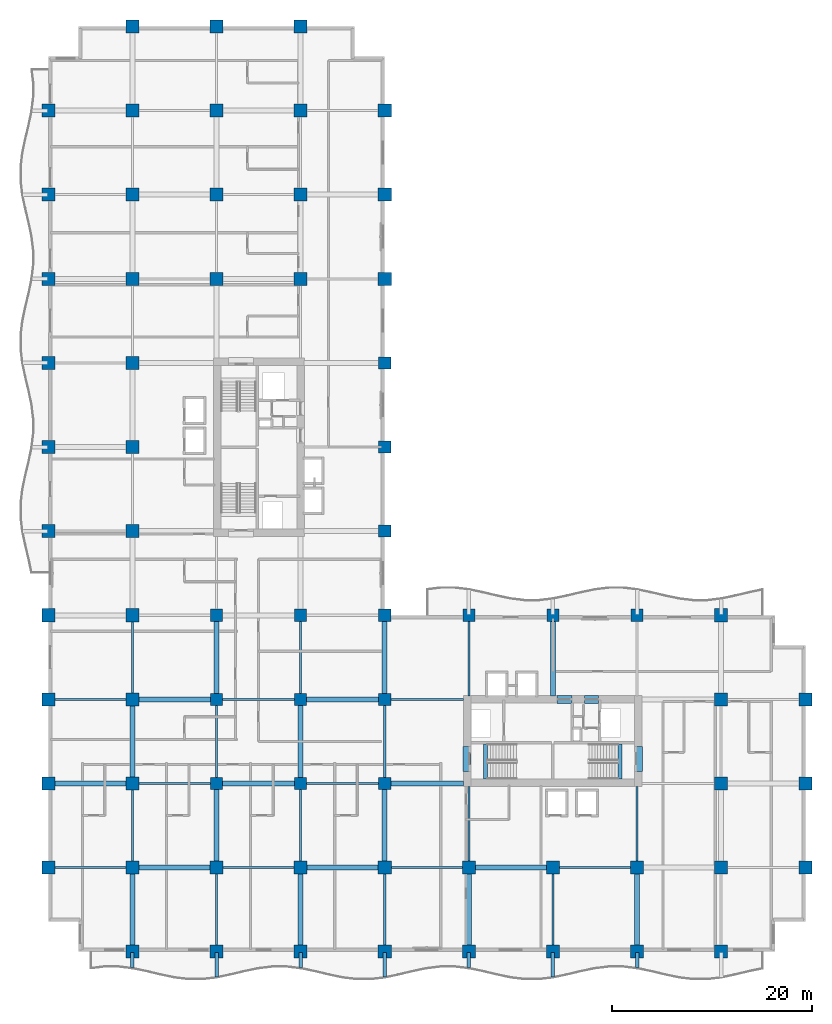
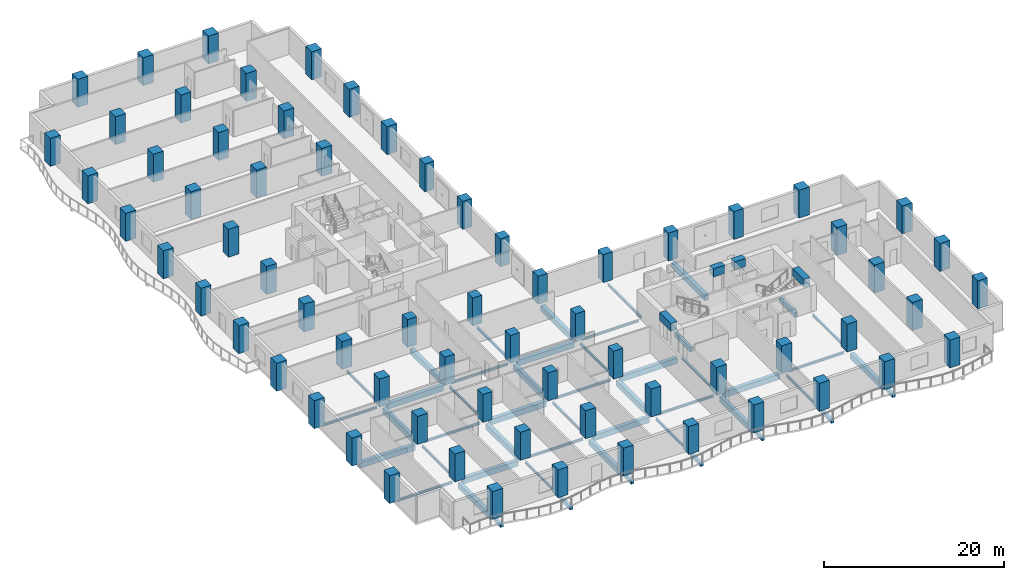
# One storey, part 1 of 18: 68 columns, 53 beams.
"""IFC4 building model written with IfcOpenShell, lengths in metres."""

import ifcopenshell
import ifcopenshell.guid

model = None  # the IFC model being written
_history = None  # IfcOwnerHistory: only IFC2X3 demands one
_inside = {}  # id of a spatial element -> (the spatial element, [elements in it])
_under = {}  # id of a project, library or spatial element -> (it, [spatial elements below it])
_declared = {}  # id of a project -> (the project, [libraries it declares])
_typed = {}  # id of a type object -> (the type object, [elements of that type])
_made_of = {}  # id of a material, layer set ... -> (it, [elements and type objects made of it])


def new_model(schema):
    """Start an empty IFC model of exactly this schema.

    Asked for "IFC4X3", IfcOpenShell would pick the latest addendum, in which some entities
    have other attributes; the version numbers below select the first issue.
    IFC2X3 requires an IfcOwnerHistory on every rooted entity: one is made here for all.
    """
    global model, _history
    if schema == "IFC4X3":
        model = ifcopenshell.file(schema_version=(4, 3, 0, 0))
    else:
        model = ifcopenshell.file(schema=schema)
    _inside.clear()
    _under.clear()
    _declared.clear()
    _typed.clear()
    _made_of.clear()
    _history = None
    if model.schema == "IFC2X3":
        org = make("IfcOrganization", Name="unknown")
        user = make(
            "IfcPersonAndOrganization",
            ThePerson=make("IfcPerson", FamilyName="unknown"),
            TheOrganization=org,
        )
        app = make(
            "IfcApplication",
            ApplicationDeveloper=org,
            Version="unknown",
            ApplicationFullName="unknown",
            ApplicationIdentifier="unknown",
        )
        _history = make(
            "IfcOwnerHistory",
            OwningUser=user,
            OwningApplication=app,
            ChangeAction="ADDED",
            CreationDate=0,
        )
    return model


def make(cls, **values):
    """One entity of the class cls with the attributes given. An attribute that is None is left unset."""
    return model.create_entity(
        cls, **{name: value for name, value in values.items() if value is not None}
    )


def rooted(cls, **values):
    """An entity with a GlobalId (a new one), such as an element, a storey or a relation."""
    return make(cls, GlobalId=ifcopenshell.guid.new(), OwnerHistory=_history, **values)


def si_unit(unit_type, name, prefix=None):
    """IfcSIUnit, for example si_unit("LENGTHUNIT", "METRE", prefix="MILLI")."""
    return make("IfcSIUnit", UnitType=unit_type, Prefix=prefix, Name=name)


def assignment(units):
    """IfcUnitAssignment: the units of a project."""
    return None if units is None else make("IfcUnitAssignment", Units=units)


def point(xyz):
    """IfcCartesianPoint."""
    return None if xyz is None else make("IfcCartesianPoint", Coordinates=xyz)


def direction(xyz):
    """IfcDirection."""
    return None if xyz is None else make("IfcDirection", DirectionRatios=xyz)


def frame(location, z_axis=None, x_axis=None):
    """IfcAxis2Placement3D, a coordinate frame: its origin and axes. An axis left out is left unset."""
    return make(
        "IfcAxis2Placement3D",
        Location=point(location),
        Axis=direction(z_axis),
        RefDirection=direction(x_axis),
    )


def frame_2d(location, x_axis=None):
    """IfcAxis2Placement2D, a coordinate frame in the plane: its origin and x axis."""
    return make(
        "IfcAxis2Placement2D", Location=point(location), RefDirection=direction(x_axis)
    )


def origin():
    """The frame at (0, 0, 0) with its axes left unset."""
    return frame((0.0, 0.0, 0.0))


def origin_2d():
    """The frame at (0, 0) in the plane with its x axis left unset."""
    return frame_2d((0.0, 0.0))


def place(relative_to, where):
    """IfcLocalPlacement: puts the frame where relative to a parent placement (None: the world)."""
    return make(
        "IfcLocalPlacement", PlacementRelTo=relative_to, RelativePlacement=where
    )


def context(
    kind, dimensions, precision=None, world=None, true_north=None, identifier=None
):
    """IfcGeometricRepresentationContext, for example the 3D "Model" context."""
    return make(
        "IfcGeometricRepresentationContext",
        ContextIdentifier=identifier,
        ContextType=kind,
        CoordinateSpaceDimension=dimensions,
        Precision=precision,
        WorldCoordinateSystem=world,
        TrueNorth=true_north,
    )


def subcontext(parent, identifier, kind, view, scale=None):
    """IfcGeometricRepresentationSubContext, for example "Body" below "Model"."""
    return make(
        "IfcGeometricRepresentationSubContext",
        ContextIdentifier=identifier,
        ContextType=kind,
        ParentContext=parent,
        TargetScale=scale,
        TargetView=view,
    )


def project(units=None, contexts=None):
    """IfcProject with its units and contexts."""
    return rooted(
        "IfcProject",
        Name="project",
        RepresentationContexts=contexts,
        UnitsInContext=assignment(units),
    )


def spatial(cls, under=None, at=None, **own):
    """A site, building, storey or space (cls), placed at a placement, below another one or the project."""
    s = rooted(cls, ObjectPlacement=at, **own)
    if under is not None:
        _under.setdefault(under.id(), (under, []))[1].append(s)
    return s


def profile(cls, at=None, kind="AREA", **sizes):
    """A parametric profile (cls). Its sizes go by their IFC names, for example OverallWidth=200.0."""
    return make(cls, ProfileType=kind, Position=at, **sizes)


def rectangle(**sizes):
    """IfcRectangleProfileDef."""
    return profile("IfcRectangleProfileDef", **sizes)


def i_section(**sizes):
    """IfcIShapeProfileDef."""
    return profile("IfcIShapeProfileDef", **sizes)


def extrude(swept, where, along, depth):
    """IfcExtrudedAreaSolid: the profile swept, set in the frame where, extruded along a direction by depth."""
    return make(
        "IfcExtrudedAreaSolid",
        SweptArea=swept,
        Position=where,
        ExtrudedDirection=direction(along),
        Depth=depth,
    )


def shape(context_of_items, identifier, shape_type, items):
    """IfcShapeRepresentation: the items that make up one representation, for example the "Body"."""
    return make(
        "IfcShapeRepresentation",
        ContextOfItems=context_of_items,
        RepresentationIdentifier=identifier,
        RepresentationType=shape_type,
        Items=items,
    )


def material(Name=None, Category=None):
    """IfcMaterial."""
    return make("IfcMaterial", Name=Name, Category=Category)


def material_profile(
    of_material, cross_section, Name=None, Category=None, Priority=None
):
    """IfcMaterialProfile: a cross section and its material."""
    return make(
        "IfcMaterialProfile",
        Name=Name,
        Material=of_material,
        Profile=cross_section,
        Priority=Priority,
        Category=Category,
    )


def profile_set(profiles, Name=None, composite=None):
    """IfcMaterialProfileSet."""
    return make(
        "IfcMaterialProfileSet",
        Name=Name,
        MaterialProfiles=profiles,
        CompositeProfile=composite,
    )


def made_of(thing, what):
    """Note that an element or type object is made of a material, layer set ...; save() writes the relation."""
    if what is not None:
        _made_of.setdefault(what.id(), (what, []))[1].append(thing)
    return thing


def type_object(cls, material=None, **own):
    """A type object (cls), such as IfcWallType, which elements share."""
    return made_of(rooted(cls, **own), material)


def element(
    cls,
    number,
    at=None,
    inside=None,
    cuts=None,
    type_object=None,
    material=None,
    context=None,
    identifier="Body",
    shape_type=None,
    held_by="IfcProductDefinitionShape",
    body=None,
    shapes=None,
    **own,
):
    """One element of the class cls, such as IfcWall. Its Tag is "e" and its number.

    at: its placement. inside: the storey or other place that contains it. cuts: it is an
    opening in that element (IfcRelVoidsElement). A single representation is given by context,
    identifier, shape_type and body (its items); several are given by shapes. held_by: the class
    of the entity that holds the representations. save() writes the other relations.
    """
    e = rooted(cls, Tag="e%d" % number, ObjectPlacement=at, **own)
    if body is not None:
        shapes = [shape(context, identifier, shape_type, body)]
    if shapes is not None:
        e.Representation = make(held_by, Representations=shapes)
    if inside is not None:
        _inside.setdefault(inside.id(), (inside, []))[1].append(e)
    if cuts is not None:
        rooted(
            "IfcRelVoidsElement", RelatingBuildingElement=cuts, RelatedOpeningElement=e
        )
    if type_object is not None:
        _typed.setdefault(type_object.id(), (type_object, []))[1].append(e)
    return made_of(e, material)


def aggregate(whole, parts):
    """IfcRelAggregates: a whole, such as a stair, and the parts it consists of."""
    return rooted("IfcRelAggregates", RelatingObject=whole, RelatedObjects=parts)


def save(model, path):
    """Write the relations noted so far, then the file.

    IfcRelAggregates (storeys below a building ...), IfcRelContainedInSpatialStructure (elements
    in a storey), IfcRelDefinesByType, IfcRelAssociatesMaterial and IfcRelDeclares: one each for
    every whole, place, type object, material and project.
    """
    for whole, parts in _under.values():
        aggregate(whole, parts)
    for where, things in _inside.values():
        rooted(
            "IfcRelContainedInSpatialStructure",
            RelatedElements=things,
            RelatingStructure=where,
        )
    for kind, things in _typed.values():
        rooted("IfcRelDefinesByType", RelatedObjects=things, RelatingType=kind)
    for what, things in _made_of.values():
        rooted("IfcRelAssociatesMaterial", RelatedObjects=things, RelatingMaterial=what)
    for by, libraries in _declared.values():
        rooted("IfcRelDeclares", RelatingContext=by, RelatedDefinitions=libraries)
    model.write(path)


model = new_model("IFC4")

# Units and contexts
model_context = context("Model", 3, precision=1e-05, world=origin(), true_north=direction((0.0, 1.0)))
body_context = subcontext(model_context, "Body", "Model", "MODEL_VIEW")
ifc_project = project(units=[si_unit("LENGTHUNIT", "METRE"), si_unit("AREAUNIT", "SQUARE_METRE"), si_unit("VOLUMEUNIT", "CUBIC_METRE"), si_unit("PLANEANGLEUNIT", "RADIAN"), si_unit("MASSUNIT", "GRAM", prefix="KILO")], contexts=[model_context])

# Site, building, storey
site_placement = place(None, origin())
site = spatial("IfcSite", under=ifc_project, at=site_placement, CompositionType="ELEMENT")
building_placement = place(site_placement, origin())
building = spatial("IfcBuilding", under=site, at=building_placement, Name="Koriwani Terraces Tower", CompositionType="ELEMENT")
storey_placement = place(building_placement, frame((0.0, 0.0, 100.0)))
storey = spatial("IfcBuildingStorey", under=building, at=storey_placement, Name="L23", CompositionType="ELEMENT", Elevation=100.0)

# Columns
ifc_material_1 = material(Name="Concrete C60/75", Category="concrete")
ifc_material_profile_1 = material_profile(ifc_material_1, rectangle(XDim=1.199951171875, YDim=1.199951171875, at=origin_2d()), Name="Concrete C60/75", Category="LoadBearing")
ifc_profile_set_1 = profile_set([ifc_material_profile_1], Name="Concrete C60/75")
column_type_1 = type_object("IfcColumnType", Name="COL_RC_1200X1200", PredefinedType="COLUMN", material=ifc_profile_set_1)
for number, where, z_axis, x_axis, name in (
    (1, (16.800048828125, 16.800048828125, 0.0), (0.0, 0.0, 1.0), (1.0, 0.0, 0.0), "L23 Column 3/C"),
    (2, (16.800048828125, 25.199951171875, 0.0), (0.0, 0.0, 1.0), (1.0, 0.0, 0.0), "L23 Column 3/D"),
    (3, (16.800048828125, 33.60009765625, 0.0), (0.0, 0.0, 1.0), (1.0, 0.0, 0.0), "L23 Column 3/E"),
    (4, (25.199951171875, 16.800048828125, 0.0), (0.0, 0.0, 1.0), (1.0, 0.0, 0.0), "L23 Column 4/C"),
    (5, (25.199951171875, 25.199951171875, 0.0), (0.0, 0.0, 1.0), (1.0, 0.0, 0.0), "L23 Column 4/D"),
    (6, (25.199951171875, 33.60009765625, 0.0), (0.0, 0.0, 1.0), (1.0, 0.0, 0.0), "L23 Column 4/E"),
    (7, (33.60009765625, 16.800048828125, 0.0), (0.0, 0.0, 1.0), (1.0, 0.0, 0.0), "L23 Column 5/C"),
    (8, (33.60009765625, 25.199951171875, 0.0), (0.0, 0.0, 1.0), (1.0, 0.0, 0.0), "L23 Column 5/D"),
    (9, (33.60009765625, 33.60009765625, 0.0), (0.0, 0.0, 1.0), (1.0, 0.0, 0.0), "L23 Column 5/E"),
    (10, (33.60009765625, 42.0, 0.0), (0.0, 0.0, 1.0), (1.0, 0.0, 0.0), "L23 Column 5/F"),
    (11, (33.60009765625, 50.39990234375, 0.0), (0.0, 0.0, 1.0), (1.0, 0.0, 0.0), "L23 Column 5/G"),
    (12, (33.60009765625, 58.800048828125, 0.0), (0.0, 0.0, 1.0), (1.0, 0.0, 0.0), "L23 Column 5/H"),
    (13, (42.0, 33.60009765625, 0.0), (0.0, 0.0, 1.0), (1.0, 0.0, 0.0), "L23 Column 6/E"),
    (14, (50.39990234375, 33.60009765625, 0.0), (0.0, 0.0, 1.0), (1.0, 0.0, 0.0), "L23 Column 7/E"),
    (15, (58.800048828125, 33.60009765625, 0.0), (0.0, 0.0, 1.0), (1.0, 0.0, 0.0), "L23 Column 8/E"),
):
    element("IfcColumn", number, at=place(storey_placement, frame(where, z_axis=z_axis, x_axis=x_axis)), inside=storey, type_object=column_type_1, Name=name, PredefinedType="COLUMN", context=body_context, shape_type="SweptSolid", body=[
        extrude(rectangle(XDim=1.199951171875, YDim=1.199951171875, at=origin_2d()), origin(), (0.0, 0.0, 1.0), 3.800048828125),
    ])
ifc_material_profile_2 = material_profile(ifc_material_1, rectangle(XDim=1.300048828125, YDim=1.300048828125, at=origin_2d()), Name="Concrete C60/75", Category="LoadBearing")
ifc_profile_set_2 = profile_set([ifc_material_profile_2], Name="Concrete C60/75")
column_type_2 = type_object("IfcColumnType", Name="COL_RC_1300X1300", PredefinedType="COLUMN", material=ifc_profile_set_2)
for number, where, z_axis, x_axis, name in (
    (16, (0.0, 8.39990234375, 0.0), (0.0, 0.0, 1.0), (1.0, 0.0, 0.0), "L23 Column 1/B"),
    (17, (0.0, 16.800048828125, 0.0), (0.0, 0.0, 1.0), (1.0, 0.0, 0.0), "L23 Column 1/C"),
    (18, (0.0, 25.199951171875, 0.0), (0.0, 0.0, 1.0), (1.0, 0.0, 0.0), "L23 Column 1/D"),
    (19, (0.0, 33.60009765625, 0.0), (0.0, 0.0, 1.0), (1.0, 0.0, 0.0), "L23 Column 1/E"),
    (20, (0.0, 42.0, 0.0), (0.0, 0.0, 1.0), (1.0, 0.0, 0.0), "L23 Column 1/F"),
    (21, (0.0, 50.39990234375, 0.0), (0.0, 0.0, 1.0), (1.0, 0.0, 0.0), "L23 Column 1/G"),
    (22, (0.0, 58.800048828125, 0.0), (0.0, 0.0, 1.0), (1.0, 0.0, 0.0), "L23 Column 1/H"),
    (23, (0.0, 67.199951171875, 0.0), (0.0, 0.0, 1.0), (1.0, 0.0, 0.0), "L23 Column 1/I"),
    (24, (0.0, 75.60009765625, 0.0), (0.0, 0.0, 1.0), (1.0, 0.0, 0.0), "L23 Column 1/J"),
    (25, (0.0, 84.0, 0.0), (0.0, 0.0, 1.0), (1.0, 0.0, 0.0), "L23 Column 1/K"),
    (26, (8.39990234375, 0.0, 0.0), (0.0, 0.0, 1.0), (1.0, 0.0, 0.0), "L23 Column 2/A"),
    (27, (8.39990234375, 8.39990234375, 0.0), (0.0, 0.0, 1.0), (1.0, 0.0, 0.0), "L23 Column 2/B"),
    (28, (8.39990234375, 16.800048828125, 0.0), (0.0, 0.0, 1.0), (1.0, 0.0, 0.0), "L23 Column 2/C"),
    (29, (8.39990234375, 25.199951171875, 0.0), (0.0, 0.0, 1.0), (1.0, 0.0, 0.0), "L23 Column 2/D"),
    (30, (8.39990234375, 33.60009765625, 0.0), (0.0, 0.0, 1.0), (1.0, 0.0, 0.0), "L23 Column 2/E"),
    (31, (8.39990234375, 42.0, 0.0), (0.0, 0.0, 1.0), (1.0, 0.0, 0.0), "L23 Column 2/F"),
    (32, (8.39990234375, 50.39990234375, 0.0), (0.0, 0.0, 1.0), (1.0, 0.0, 0.0), "L23 Column 2/G"),
    (33, (8.39990234375, 58.800048828125, 0.0), (0.0, 0.0, 1.0), (1.0, 0.0, 0.0), "L23 Column 2/H"),
    (34, (8.39990234375, 67.199951171875, 0.0), (0.0, 0.0, 1.0), (1.0, 0.0, 0.0), "L23 Column 2/I"),
    (35, (8.39990234375, 75.60009765625, 0.0), (0.0, 0.0, 1.0), (1.0, 0.0, 0.0), "L23 Column 2/J"),
    (36, (8.39990234375, 84.0, 0.0), (0.0, 0.0, 1.0), (1.0, 0.0, 0.0), "L23 Column 2/K"),
    (37, (8.39990234375, 92.39990234375, 0.0), (0.0, 0.0, 1.0), (1.0, 0.0, 0.0), "L23 Column 2/L"),
    (38, (16.800048828125, 0.0, 0.0), (0.0, 0.0, 1.0), (1.0, 0.0, 0.0), "L23 Column 3/A"),
    (39, (16.800048828125, 8.39990234375, 0.0), (0.0, 0.0, 1.0), (1.0, 0.0, 0.0), "L23 Column 3/B"),
    (40, (16.800048828125, 67.199951171875, 0.0), (0.0, 0.0, 1.0), (1.0, 0.0, 0.0), "L23 Column 3/I"),
    (41, (16.800048828125, 75.60009765625, 0.0), (0.0, 0.0, 1.0), (1.0, 0.0, 0.0), "L23 Column 3/J"),
    (42, (16.800048828125, 84.0, 0.0), (0.0, 0.0, 1.0), (1.0, 0.0, 0.0), "L23 Column 3/K"),
    (43, (16.800048828125, 92.39990234375, 0.0), (0.0, 0.0, 1.0), (1.0, 0.0, 0.0), "L23 Column 3/L"),
    (44, (25.199951171875, 0.0, 0.0), (0.0, 0.0, 1.0), (1.0, 0.0, 0.0), "L23 Column 4/A"),
    (45, (25.199951171875, 8.39990234375, 0.0), (0.0, 0.0, 1.0), (1.0, 0.0, 0.0), "L23 Column 4/B"),
    (46, (25.199951171875, 67.199951171875, 0.0), (0.0, 0.0, 1.0), (1.0, 0.0, 0.0), "L23 Column 4/I"),
    (47, (25.199951171875, 75.60009765625, 0.0), (0.0, 0.0, 1.0), (1.0, 0.0, 0.0), "L23 Column 4/J"),
    (48, (25.199951171875, 84.0, 0.0), (0.0, 0.0, 1.0), (1.0, 0.0, 0.0), "L23 Column 4/K"),
    (49, (25.199951171875, 92.39990234375, 0.0), (0.0, 0.0, 1.0), (1.0, 0.0, 0.0), "L23 Column 4/L"),
    (50, (33.60009765625, 0.0, 0.0), (0.0, 0.0, 1.0), (1.0, 0.0, 0.0), "L23 Column 5/A"),
    (51, (33.60009765625, 8.39990234375, 0.0), (0.0, 0.0, 1.0), (1.0, 0.0, 0.0), "L23 Column 5/B"),
    (52, (33.60009765625, 67.199951171875, 0.0), (0.0, 0.0, 1.0), (1.0, 0.0, 0.0), "L23 Column 5/I"),
    (53, (33.60009765625, 75.60009765625, 0.0), (0.0, 0.0, 1.0), (1.0, 0.0, 0.0), "L23 Column 5/J"),
    (54, (33.60009765625, 84.0, 0.0), (0.0, 0.0, 1.0), (1.0, 0.0, 0.0), "L23 Column 5/K"),
    (55, (42.0, 0.0, 0.0), (0.0, 0.0, 1.0), (1.0, 0.0, 0.0), "L23 Column 6/A"),
    (56, (42.0, 8.39990234375, 0.0), (0.0, 0.0, 1.0), (1.0, 0.0, 0.0), "L23 Column 6/B"),
    (57, (50.39990234375, 0.0, 0.0), (0.0, 0.0, 1.0), (1.0, 0.0, 0.0), "L23 Column 7/A"),
    (58, (50.39990234375, 8.39990234375, 0.0), (0.0, 0.0, 1.0), (1.0, 0.0, 0.0), "L23 Column 7/B"),
    (59, (58.800048828125, 0.0, 0.0), (0.0, 0.0, 1.0), (1.0, 0.0, 0.0), "L23 Column 8/A"),
    (60, (58.800048828125, 8.39990234375, 0.0), (0.0, 0.0, 1.0), (1.0, 0.0, 0.0), "L23 Column 8/B"),
    (61, (67.199951171875, 0.0, 0.0), (0.0, 0.0, 1.0), (1.0, 0.0, 0.0), "L23 Column 9/A"),
    (62, (67.199951171875, 8.39990234375, 0.0), (0.0, 0.0, 1.0), (1.0, 0.0, 0.0), "L23 Column 9/B"),
    (63, (67.199951171875, 16.800048828125, 0.0), (0.0, 0.0, 1.0), (1.0, 0.0, 0.0), "L23 Column 9/C"),
    (64, (67.199951171875, 25.199951171875, 0.0), (0.0, 0.0, 1.0), (1.0, 0.0, 0.0), "L23 Column 9/D"),
    (65, (67.199951171875, 33.60009765625, 0.0), (0.0, 0.0, 1.0), (1.0, 0.0, 0.0), "L23 Column 9/E"),
    (66, (75.60009765625, 8.39990234375, 0.0), (0.0, 0.0, 1.0), (1.0, 0.0, 0.0), "L23 Column 10/B"),
    (67, (75.60009765625, 16.800048828125, 0.0), (0.0, 0.0, 1.0), (1.0, 0.0, 0.0), "L23 Column 10/C"),
    (68, (75.60009765625, 25.199951171875, 0.0), (0.0, 0.0, 1.0), (1.0, 0.0, 0.0), "L23 Column 10/D"),
):
    element("IfcColumn", number, at=place(storey_placement, frame(where, z_axis=z_axis, x_axis=x_axis)), inside=storey, type_object=column_type_2, Name=name, PredefinedType="COLUMN", context=body_context, shape_type="SweptSolid", body=[
        extrude(rectangle(XDim=1.300048828125, YDim=1.300048828125, at=origin_2d()), origin(), (0.0, 0.0, 1.0), 3.800048828125),
    ])

# Beams
ifc_material_2 = material(Name="Concrete C40/50", Category="concrete")
ifc_material_profile_3 = material_profile(ifc_material_2, rectangle(XDim=0.35009765625, YDim=0.449951171875, at=origin_2d()), Name="Concrete C40/50", Category="LoadBearing")
ifc_profile_set_3 = profile_set([ifc_material_profile_3], Name="Concrete C40/50")
beam_type_1 = type_object("IfcBeamType", Name="BEAM_RC_BALCONY_RIB_350X450", PredefinedType="JOIST", material=ifc_profile_set_3)
beam_1_placement = place(storey_placement, frame((8.39990234375, -1.59033203125, -0.47509765625), z_axis=(0.0, 1.0, 0.0), x_axis=(-1.0, 0.0, 0.0)))
element("IfcBeam", 69, at=beam_1_placement, inside=storey, type_object=beam_type_1, Name="L23 Balcony Bracket Rib S-1", PredefinedType="JOIST", context=body_context, shape_type="SweptSolid", body=[
    extrude(rectangle(XDim=0.35009765625, YDim=0.449951171875, at=origin_2d()), origin(), (0.0, 0.0, 1.0), 1.490234375),
])
beam_2_placement = place(storey_placement, frame((16.800048828125, -2.509521484375, -0.47509765625), z_axis=(0.0, 1.0, 0.0), x_axis=(-1.0, 0.0, 0.0)))
element("IfcBeam", 70, at=beam_2_placement, inside=storey, type_object=beam_type_1, Name="L23 Balcony Bracket Rib S-2", PredefinedType="JOIST", context=body_context, shape_type="SweptSolid", body=[
    extrude(rectangle(XDim=0.35009765625, YDim=0.449951171875, at=origin_2d()), origin(), (0.0, 0.0, 1.0), 2.409423828125),
])
beam_3_placement = place(storey_placement, frame((25.199951171875, -1.59033203125, -0.47509765625), z_axis=(0.0, 1.0, 0.0), x_axis=(-1.0, 0.0, 0.0)))
element("IfcBeam", 71, at=beam_3_placement, inside=storey, type_object=beam_type_1, Name="L23 Balcony Bracket Rib S-3", PredefinedType="JOIST", context=body_context, shape_type="SweptSolid", body=[
    extrude(rectangle(XDim=0.35009765625, YDim=0.449951171875, at=origin_2d()), origin(), (0.0, 0.0, 1.0), 1.490234375),
])
beam_4_placement = place(storey_placement, frame((33.60009765625, -2.509521484375, -0.47509765625), z_axis=(0.0, 1.0, 0.0), x_axis=(-1.0, 0.0, 0.0)))
element("IfcBeam", 72, at=beam_4_placement, inside=storey, type_object=beam_type_1, Name="L23 Balcony Bracket Rib S-4", PredefinedType="JOIST", context=body_context, shape_type="SweptSolid", body=[
    extrude(rectangle(XDim=0.35009765625, YDim=0.449951171875, at=origin_2d()), origin(), (0.0, 0.0, 1.0), 2.409423828125),
])
beam_5_placement = place(storey_placement, frame((42.0, -1.59033203125, -0.47509765625), z_axis=(0.0, 1.0, 0.0), x_axis=(-1.0, 0.0, 0.0)))
element("IfcBeam", 73, at=beam_5_placement, inside=storey, type_object=beam_type_1, Name="L23 Balcony Bracket Rib S-5", PredefinedType="JOIST", context=body_context, shape_type="SweptSolid", body=[
    extrude(rectangle(XDim=0.35009765625, YDim=0.449951171875, at=origin_2d()), origin(), (0.0, 0.0, 1.0), 1.490234375),
])
beam_6_placement = place(storey_placement, frame((50.39990234375, -2.509521484375, -0.47509765625), z_axis=(0.0, 1.0, 0.0), x_axis=(-1.0, 0.0, 0.0)))
element("IfcBeam", 74, at=beam_6_placement, inside=storey, type_object=beam_type_1, Name="L23 Balcony Bracket Rib S-6", PredefinedType="JOIST", context=body_context, shape_type="SweptSolid", body=[
    extrude(rectangle(XDim=0.35009765625, YDim=0.449951171875, at=origin_2d()), origin(), (0.0, 0.0, 1.0), 2.409423828125),
])
beam_7_placement = place(storey_placement, frame((58.800048828125, -1.59033203125, -0.47509765625), z_axis=(0.0, 1.0, 0.0), x_axis=(-1.0, 0.0, 0.0)))
element("IfcBeam", 75, at=beam_7_placement, inside=storey, type_object=beam_type_1, Name="L23 Balcony Bracket Rib S-7", PredefinedType="JOIST", context=body_context, shape_type="SweptSolid", body=[
    extrude(rectangle(XDim=0.35009765625, YDim=0.449951171875, at=origin_2d()), origin(), (0.0, 0.0, 1.0), 1.490234375),
])
ifc_material_profile_4 = material_profile(ifc_material_1, rectangle(XDim=0.800048828125, YDim=1.10009765625, at=origin_2d()), Name="Concrete C60/75", Category="LoadBearing")
ifc_profile_set_4 = profile_set([ifc_material_profile_4], Name="Concrete C60/75")
beam_type_2 = type_object("IfcBeamType", Name="BEAM_RC_COUPLING_800X1100", PredefinedType="LINTEL", material=ifc_profile_set_4)
beam_8_placement = place(storey_placement, frame((50.800048828125, 25.199951171875, 3.0), z_axis=(1.0, 0.0, 0.0), x_axis=(0.0, 1.0, 0.0)))
element("IfcBeam", 76, at=beam_8_placement, inside=storey, type_object=beam_type_2, Name="L23 Core Coupling Lintel Beam EN1", PredefinedType="LINTEL", context=body_context, shape_type="SweptSolid", body=[
    extrude(rectangle(XDim=0.800048828125, YDim=1.10009765625, at=origin_2d()), origin(), (0.0, 0.0, 1.0), 1.47998046875),
])
beam_9_placement = place(storey_placement, frame((53.550048828125, 25.199951171875, 3.0), z_axis=(1.0, 0.0, 0.0), x_axis=(0.0, 1.0, 0.0)))
element("IfcBeam", 77, at=beam_9_placement, inside=storey, type_object=beam_type_2, Name="L23 Core Coupling Lintel Beam EN2", PredefinedType="LINTEL", context=body_context, shape_type="SweptSolid", body=[
    extrude(rectangle(XDim=0.800048828125, YDim=1.10009765625, at=origin_2d()), origin(), (0.0, 0.0, 1.0), 1.39990234375),
])
for number, where, z_axis, x_axis, name in (
    (78, (41.824951171875, 18.0, 3.0), (0.0, 1.0, 0.0), (-1.0, 0.0, 0.0), "L23 Core Coupling Lintel Beam EW"),
    (79, (58.925048828125, 18.0, 3.0), (0.0, 1.0, 0.0), (-1.0, 0.0, 0.0), "L23 Core Coupling Lintel Beam EE"),
):
    element("IfcBeam", number, at=place(storey_placement, frame(where, z_axis=z_axis, x_axis=x_axis)), inside=storey, type_object=beam_type_2, Name=name, PredefinedType="LINTEL", context=body_context, shape_type="SweptSolid", body=[
        extrude(rectangle(XDim=0.800048828125, YDim=1.10009765625, at=origin_2d()), origin(), (0.0, 0.0, 1.0), 2.5),
    ])
ifc_material_profile_5 = material_profile(ifc_material_2, rectangle(XDim=0.39990234375, YDim=0.60009765625, at=origin_2d()), Name="Concrete C40/50", Category="LoadBearing")
ifc_profile_set_5 = profile_set([ifc_material_profile_5], Name="Concrete C40/50")
beam_type_3 = type_object("IfcBeamType", Name="BEAM_RC_GRID_400X600", PredefinedType="BEAM", material=ifc_profile_set_5)
for number, where, z_axis, x_axis, name in (
    (80, (43.655029296875, 17.25, -0.300048828125), (0.0, 1.0, 0.0), (-1.0, 0.0, 0.0), "L23 Stairwell Header Trimmer Beam ST-E1"),
    (81, (57.094970703125, 17.25, -0.300048828125), (0.0, 1.0, 0.0), (-1.0, 0.0, 0.0), "L23 Stairwell Header Trimmer Beam ST-E2"),
):
    element("IfcBeam", number, at=place(storey_placement, frame(where, z_axis=z_axis, x_axis=x_axis)), inside=storey, type_object=beam_type_3, Name=name, PredefinedType="BEAM", context=body_context, shape_type="SweptSolid", body=[
        extrude(rectangle(XDim=0.39990234375, YDim=0.60009765625, at=origin_2d()), origin(), (0.0, 0.0, 1.0), 3.5),
    ])
ifc_material_3 = material(Name="Concrete C50/60", Category="concrete")
ifc_material_profile_6 = material_profile(ifc_material_3, rectangle(XDim=0.5, YDim=0.75, at=origin_2d()), Name="Concrete C50/60", Category="LoadBearing")
ifc_profile_set_6 = profile_set([ifc_material_profile_6], Name="Concrete C50/60")
beam_type_4 = type_object("IfcBeamType", Name="BEAM_RC_GRID_500X750", PredefinedType="BEAM", material=ifc_profile_set_6)
for number, where, z_axis, x_axis, name in (
    (82, (9.030029296875, 8.39990234375, -0.625), (1.0, 0.0, 0.0), (0.0, 1.0, 0.0), "L23 Grid Beam B (8.4-16.8m)"),
    (83, (25.830078125, 8.39990234375, -0.625), (1.0, 0.0, 0.0), (0.0, 1.0, 0.0), "L23 Grid Beam B (25.2-33.6m)"),
):
    element("IfcBeam", number, at=place(storey_placement, frame(where, z_axis=z_axis, x_axis=x_axis)), inside=storey, type_object=beam_type_4, Name=name, PredefinedType="BEAM", context=body_context, shape_type="SweptSolid", body=[
        extrude(rectangle(XDim=0.5, YDim=0.75, at=origin_2d()), origin(), (0.0, 0.0, 1.0), 7.139892578125),
    ])
for number, where, z_axis, x_axis, name in (
    (84, (42.6298828125, 8.39990234375, -0.625), (1.0, 0.0, 0.0), (0.0, 1.0, 0.0), "L23 Grid Beam B (42.0-50.4m)"),
    (85, (0.6298828125, 16.800048828125, -0.625), (1.0, 0.0, 0.0), (0.0, 1.0, 0.0), "L23 Grid Beam C (0.0-8.4m)"),
):
    element("IfcBeam", number, at=place(storey_placement, frame(where, z_axis=z_axis, x_axis=x_axis)), inside=storey, type_object=beam_type_4, Name=name, PredefinedType="BEAM", context=body_context, shape_type="SweptSolid", body=[
        extrude(rectangle(XDim=0.5, YDim=0.75, at=origin_2d()), origin(), (0.0, 0.0, 1.0), 7.14013671875),
    ])
beam_10_placement = place(storey_placement, frame((17.3798828125, 16.800048828125, -0.625), z_axis=(1.0, 0.0, 0.0), x_axis=(0.0, 1.0, 0.0)))
element("IfcBeam", 86, at=beam_10_placement, inside=storey, type_object=beam_type_4, Name="L23 Grid Beam C (16.8-25.2m)", PredefinedType="BEAM", context=body_context, shape_type="SweptSolid", body=[
    extrude(rectangle(XDim=0.5, YDim=0.75, at=origin_2d()), origin(), (0.0, 0.0, 1.0), 7.240234375),
])
beam_11_placement = place(storey_placement, frame((34.179931640625, 16.800048828125, -0.625), z_axis=(1.0, 0.0, 0.0), x_axis=(0.0, 1.0, 0.0)))
element("IfcBeam", 87, at=beam_11_placement, inside=storey, type_object=beam_type_4, Name="L23 Grid Beam C (33.6-42.0m)", PredefinedType="BEAM", context=body_context, shape_type="SweptSolid", body=[
    extrude(rectangle(XDim=0.5, YDim=0.75, at=origin_2d()), origin(), (0.0, 0.0, 1.0), 7.2900390625),
])
beam_12_placement = place(storey_placement, frame((9.030029296875, 25.199951171875, -0.625), z_axis=(1.0, 0.0, 0.0), x_axis=(0.0, 1.0, 0.0)))
element("IfcBeam", 88, at=beam_12_placement, inside=storey, type_object=beam_type_4, Name="L23 Grid Beam D (8.4-16.8m)", PredefinedType="BEAM", context=body_context, shape_type="SweptSolid", body=[
    extrude(rectangle(XDim=0.5, YDim=0.75, at=origin_2d()), origin(), (0.0, 0.0, 1.0), 7.18994140625),
])
beam_13_placement = place(storey_placement, frame((25.780029296875, 25.199951171875, -0.625), z_axis=(1.0, 0.0, 0.0), x_axis=(0.0, 1.0, 0.0)))
element("IfcBeam", 89, at=beam_13_placement, inside=storey, type_object=beam_type_4, Name="L23 Grid Beam D (25.2-33.6m)", PredefinedType="BEAM", context=body_context, shape_type="SweptSolid", body=[
    extrude(rectangle(XDim=0.5, YDim=0.75, at=origin_2d()), origin(), (0.0, 0.0, 1.0), 7.239990234375),
])
for number, where, z_axis, x_axis, name in (
    (90, (8.39990234375, 0.6298828125, -0.625), (0.0, 1.0, 0.0), (-1.0, 0.0, 0.0), "L23 Grid Beam 2 (0.0-8.4m)"),
    (91, (8.39990234375, 17.429931640625, -0.625), (0.0, 1.0, 0.0), (-1.0, 0.0, 0.0), "L23 Grid Beam 2 (16.8-25.2m)"),
):
    element("IfcBeam", number, at=place(storey_placement, frame(where, z_axis=z_axis, x_axis=x_axis)), inside=storey, type_object=beam_type_4, Name=name, PredefinedType="BEAM", context=body_context, shape_type="SweptSolid", body=[
        extrude(rectangle(XDim=0.5, YDim=0.75, at=origin_2d()), origin(), (0.0, 0.0, 1.0), 7.14013671875),
    ])
beam_14_placement = place(storey_placement, frame((16.800048828125, 9.030029296875, -0.625), z_axis=(0.0, 1.0, 0.0), x_axis=(-1.0, 0.0, 0.0)))
element("IfcBeam", 92, at=beam_14_placement, inside=storey, type_object=beam_type_4, Name="L23 Grid Beam 3 (8.4-16.8m)", PredefinedType="BEAM", context=body_context, shape_type="SweptSolid", body=[
    extrude(rectangle(XDim=0.5, YDim=0.75, at=origin_2d()), origin(), (0.0, 0.0, 1.0), 7.18994140625),
])
beam_15_placement = place(storey_placement, frame((16.800048828125, 25.780029296875, -0.625), z_axis=(0.0, 1.0, 0.0), x_axis=(-1.0, 0.0, 0.0)))
element("IfcBeam", 93, at=beam_15_placement, inside=storey, type_object=beam_type_4, Name="L23 Grid Beam 3 (25.2-33.6m)", PredefinedType="BEAM", context=body_context, shape_type="SweptSolid", body=[
    extrude(rectangle(XDim=0.5, YDim=0.75, at=origin_2d()), origin(), (0.0, 0.0, 1.0), 7.239990234375),
])
beam_16_placement = place(storey_placement, frame((25.199951171875, 0.6298828125, -0.625), z_axis=(0.0, 1.0, 0.0), x_axis=(-1.0, 0.0, 0.0)))
element("IfcBeam", 94, at=beam_16_placement, inside=storey, type_object=beam_type_4, Name="L23 Grid Beam 4 (0.0-8.4m)", PredefinedType="BEAM", context=body_context, shape_type="SweptSolid", body=[
    extrude(rectangle(XDim=0.5, YDim=0.75, at=origin_2d()), origin(), (0.0, 0.0, 1.0), 7.14013671875),
])
beam_17_placement = place(storey_placement, frame((25.199951171875, 17.3798828125, -0.625), z_axis=(0.0, 1.0, 0.0), x_axis=(-1.0, 0.0, 0.0)))
element("IfcBeam", 95, at=beam_17_placement, inside=storey, type_object=beam_type_4, Name="L23 Grid Beam 4 (16.8-25.2m)", PredefinedType="BEAM", context=body_context, shape_type="SweptSolid", body=[
    extrude(rectangle(XDim=0.5, YDim=0.75, at=origin_2d()), origin(), (0.0, 0.0, 1.0), 7.240234375),
])
beam_18_placement = place(storey_placement, frame((33.60009765625, 9.030029296875, -0.625), z_axis=(0.0, 1.0, 0.0), x_axis=(-1.0, 0.0, 0.0)))
element("IfcBeam", 96, at=beam_18_placement, inside=storey, type_object=beam_type_4, Name="L23 Grid Beam 5 (8.4-16.8m)", PredefinedType="BEAM", context=body_context, shape_type="SweptSolid", body=[
    extrude(rectangle(XDim=0.5, YDim=0.75, at=origin_2d()), origin(), (0.0, 0.0, 1.0), 7.18994140625),
])
beam_19_placement = place(storey_placement, frame((33.60009765625, 25.780029296875, -0.625), z_axis=(0.0, 1.0, 0.0), x_axis=(-1.0, 0.0, 0.0)))
element("IfcBeam", 97, at=beam_19_placement, inside=storey, type_object=beam_type_4, Name="L23 Grid Beam 5 (25.2-33.6m)", PredefinedType="BEAM", context=body_context, shape_type="SweptSolid", body=[
    extrude(rectangle(XDim=0.5, YDim=0.75, at=origin_2d()), origin(), (0.0, 0.0, 1.0), 7.239990234375),
])
beam_20_placement = place(storey_placement, frame((42.0, 0.6298828125, -0.625), z_axis=(0.0, 1.0, 0.0), x_axis=(-1.0, 0.0, 0.0)))
element("IfcBeam", 98, at=beam_20_placement, inside=storey, type_object=beam_type_4, Name="L23 Grid Beam 6 (0.0-8.4m)", PredefinedType="BEAM", context=body_context, shape_type="SweptSolid", body=[
    extrude(rectangle(XDim=0.5, YDim=0.75, at=origin_2d()), origin(), (0.0, 0.0, 1.0), 7.14013671875),
])
beam_21_placement = place(storey_placement, frame((50.39990234375, 25.554931640625, -0.625), z_axis=(0.0, 1.0, 0.0), x_axis=(-1.0, 0.0, 0.0)))
element("IfcBeam", 99, at=beam_21_placement, inside=storey, type_object=beam_type_4, Name="L23 Grid Beam 7 (25.2-33.6m)", PredefinedType="BEAM", context=body_context, shape_type="SweptSolid", body=[
    extrude(rectangle(XDim=0.5, YDim=0.75, at=origin_2d()), origin(), (0.0, 0.0, 1.0), 7.465087890625),
])
beam_22_placement = place(storey_placement, frame((58.800048828125, 0.6298828125, -0.625), z_axis=(0.0, 1.0, 0.0), x_axis=(-1.0, 0.0, 0.0)))
element("IfcBeam", 100, at=beam_22_placement, inside=storey, type_object=beam_type_4, Name="L23 Grid Beam 8 (0.0-8.4m)", PredefinedType="BEAM", context=body_context, shape_type="SweptSolid", body=[
    extrude(rectangle(XDim=0.5, YDim=0.75, at=origin_2d()), origin(), (0.0, 0.0, 1.0), 7.14013671875),
])
ifc_material_4 = material(Name="Steel ASTM A572 Grade 50", Category="steel")
ifc_material_profile_7 = material_profile(ifc_material_4, i_section(OverallWidth=0.205078125, OverallDepth=0.31005859375, WebThickness=0.009521484375, FlangeThickness=0.016357421875, at=origin_2d()), Name="Steel ASTM A572 Grade 50", Category="LoadBearing")
ifc_profile_set_7 = profile_set([ifc_material_profile_7], Name="Steel ASTM A572 Grade 50")
beam_type_5 = type_object("IfcBeamType", Name="STEEL_BEAM_W310X74", PredefinedType="JOIST", material=ifc_profile_set_7)
for number, where, z_axis, x_axis, name in (
    (101, (0.6298828125, 8.39990234375, -0.405029296875), (1.0, 0.0, 0.0), (0.0, 1.0, 0.0), "L23 Grid Beam B (0.0-8.4m)"),
    (102, (17.429931640625, 8.39990234375, -0.405029296875), (1.0, 0.0, 0.0), (0.0, 1.0, 0.0), "L23 Grid Beam B (16.8-25.2m)"),
    (103, (34.22998046875, 8.39990234375, -0.405029296875), (1.0, 0.0, 0.0), (0.0, 1.0, 0.0), "L23 Grid Beam B (33.6-42.0m)"),
):
    element("IfcBeam", number, at=place(storey_placement, frame(where, z_axis=z_axis, x_axis=x_axis)), inside=storey, type_object=beam_type_5, Name=name, PredefinedType="JOIST", context=body_context, shape_type="SweptSolid", body=[
        extrude(i_section(OverallWidth=0.205078125, OverallDepth=0.31005859375, WebThickness=0.009521484375, FlangeThickness=0.016357421875, at=origin_2d()), origin(), (0.0, 0.0, 1.0), 7.14013671875),
    ])
beam_23_placement = place(storey_placement, frame((51.030029296875, 8.39990234375, -0.405029296875), z_axis=(1.0, 0.0, 0.0), x_axis=(0.0, 1.0, 0.0)))
element("IfcBeam", 104, at=beam_23_placement, inside=storey, type_object=beam_type_5, Name="L23 Grid Beam B (50.4-58.8m)", PredefinedType="JOIST", context=body_context, shape_type="SweptSolid", body=[
    extrude(i_section(OverallWidth=0.205078125, OverallDepth=0.31005859375, WebThickness=0.009521484375, FlangeThickness=0.016357421875, at=origin_2d()), origin(), (0.0, 0.0, 1.0), 7.139892578125),
])
beam_24_placement = place(storey_placement, frame((9.030029296875, 16.800048828125, -0.405029296875), z_axis=(1.0, 0.0, 0.0), x_axis=(0.0, 1.0, 0.0)))
element("IfcBeam", 105, at=beam_24_placement, inside=storey, type_object=beam_type_5, Name="L23 Grid Beam C (8.4-16.8m)", PredefinedType="JOIST", context=body_context, shape_type="SweptSolid", body=[
    extrude(i_section(OverallWidth=0.205078125, OverallDepth=0.31005859375, WebThickness=0.009521484375, FlangeThickness=0.016357421875, at=origin_2d()), origin(), (0.0, 0.0, 1.0), 7.18994140625),
])
beam_25_placement = place(storey_placement, frame((25.780029296875, 16.800048828125, -0.405029296875), z_axis=(1.0, 0.0, 0.0), x_axis=(0.0, 1.0, 0.0)))
element("IfcBeam", 106, at=beam_25_placement, inside=storey, type_object=beam_type_5, Name="L23 Grid Beam C (25.2-33.6m)", PredefinedType="JOIST", context=body_context, shape_type="SweptSolid", body=[
    extrude(i_section(OverallWidth=0.205078125, OverallDepth=0.31005859375, WebThickness=0.009521484375, FlangeThickness=0.016357421875, at=origin_2d()), origin(), (0.0, 0.0, 1.0), 7.239990234375),
])
beam_26_placement = place(storey_placement, frame((0.6298828125, 25.199951171875, -0.405029296875), z_axis=(1.0, 0.0, 0.0), x_axis=(0.0, 1.0, 0.0)))
element("IfcBeam", 107, at=beam_26_placement, inside=storey, type_object=beam_type_5, Name="L23 Grid Beam D (0.0-8.4m)", PredefinedType="JOIST", context=body_context, shape_type="SweptSolid", body=[
    extrude(i_section(OverallWidth=0.205078125, OverallDepth=0.31005859375, WebThickness=0.009521484375, FlangeThickness=0.016357421875, at=origin_2d()), origin(), (0.0, 0.0, 1.0), 7.14013671875),
])
beam_27_placement = place(storey_placement, frame((17.3798828125, 25.199951171875, -0.405029296875), z_axis=(1.0, 0.0, 0.0), x_axis=(0.0, 1.0, 0.0)))
element("IfcBeam", 108, at=beam_27_placement, inside=storey, type_object=beam_type_5, Name="L23 Grid Beam D (16.8-25.2m)", PredefinedType="JOIST", context=body_context, shape_type="SweptSolid", body=[
    extrude(i_section(OverallWidth=0.205078125, OverallDepth=0.31005859375, WebThickness=0.009521484375, FlangeThickness=0.016357421875, at=origin_2d()), origin(), (0.0, 0.0, 1.0), 7.240234375),
])
beam_28_placement = place(storey_placement, frame((34.179931640625, 25.199951171875, -0.405029296875), z_axis=(1.0, 0.0, 0.0), x_axis=(0.0, 1.0, 0.0)))
element("IfcBeam", 109, at=beam_28_placement, inside=storey, type_object=beam_type_5, Name="L23 Grid Beam D (33.6-42.0m)", PredefinedType="JOIST", context=body_context, shape_type="SweptSolid", body=[
    extrude(i_section(OverallWidth=0.205078125, OverallDepth=0.31005859375, WebThickness=0.009521484375, FlangeThickness=0.016357421875, at=origin_2d()), origin(), (0.0, 0.0, 1.0), 7.2900390625),
])
for number, where, z_axis, x_axis, name in (
    (110, (8.39990234375, 9.030029296875, -0.405029296875), (0.0, 1.0, 0.0), (-1.0, 0.0, 0.0), "L23 Grid Beam 2 (8.4-16.8m)"),
    (111, (8.39990234375, 25.830078125, -0.405029296875), (0.0, 1.0, 0.0), (-1.0, 0.0, 0.0), "L23 Grid Beam 2 (25.2-33.6m)"),
):
    element("IfcBeam", number, at=place(storey_placement, frame(where, z_axis=z_axis, x_axis=x_axis)), inside=storey, type_object=beam_type_5, Name=name, PredefinedType="JOIST", context=body_context, shape_type="SweptSolid", body=[
        extrude(i_section(OverallWidth=0.205078125, OverallDepth=0.31005859375, WebThickness=0.009521484375, FlangeThickness=0.016357421875, at=origin_2d()), origin(), (0.0, 0.0, 1.0), 7.139892578125),
    ])
beam_29_placement = place(storey_placement, frame((16.800048828125, 0.6298828125, -0.405029296875), z_axis=(0.0, 1.0, 0.0), x_axis=(-1.0, 0.0, 0.0)))
element("IfcBeam", 112, at=beam_29_placement, inside=storey, type_object=beam_type_5, Name="L23 Grid Beam 3 (0.0-8.4m)", PredefinedType="JOIST", context=body_context, shape_type="SweptSolid", body=[
    extrude(i_section(OverallWidth=0.205078125, OverallDepth=0.31005859375, WebThickness=0.009521484375, FlangeThickness=0.016357421875, at=origin_2d()), origin(), (0.0, 0.0, 1.0), 7.14013671875),
])
beam_30_placement = place(storey_placement, frame((16.800048828125, 17.3798828125, -0.405029296875), z_axis=(0.0, 1.0, 0.0), x_axis=(-1.0, 0.0, 0.0)))
element("IfcBeam", 113, at=beam_30_placement, inside=storey, type_object=beam_type_5, Name="L23 Grid Beam 3 (16.8-25.2m)", PredefinedType="JOIST", context=body_context, shape_type="SweptSolid", body=[
    extrude(i_section(OverallWidth=0.205078125, OverallDepth=0.31005859375, WebThickness=0.009521484375, FlangeThickness=0.016357421875, at=origin_2d()), origin(), (0.0, 0.0, 1.0), 7.240234375),
])
beam_31_placement = place(storey_placement, frame((25.199951171875, 9.030029296875, -0.405029296875), z_axis=(0.0, 1.0, 0.0), x_axis=(-1.0, 0.0, 0.0)))
element("IfcBeam", 114, at=beam_31_placement, inside=storey, type_object=beam_type_5, Name="L23 Grid Beam 4 (8.4-16.8m)", PredefinedType="JOIST", context=body_context, shape_type="SweptSolid", body=[
    extrude(i_section(OverallWidth=0.205078125, OverallDepth=0.31005859375, WebThickness=0.009521484375, FlangeThickness=0.016357421875, at=origin_2d()), origin(), (0.0, 0.0, 1.0), 7.18994140625),
])
beam_32_placement = place(storey_placement, frame((25.199951171875, 25.780029296875, -0.405029296875), z_axis=(0.0, 1.0, 0.0), x_axis=(-1.0, 0.0, 0.0)))
element("IfcBeam", 115, at=beam_32_placement, inside=storey, type_object=beam_type_5, Name="L23 Grid Beam 4 (25.2-33.6m)", PredefinedType="JOIST", context=body_context, shape_type="SweptSolid", body=[
    extrude(i_section(OverallWidth=0.205078125, OverallDepth=0.31005859375, WebThickness=0.009521484375, FlangeThickness=0.016357421875, at=origin_2d()), origin(), (0.0, 0.0, 1.0), 7.239990234375),
])
beam_33_placement = place(storey_placement, frame((33.60009765625, 0.6298828125, -0.405029296875), z_axis=(0.0, 1.0, 0.0), x_axis=(-1.0, 0.0, 0.0)))
element("IfcBeam", 116, at=beam_33_placement, inside=storey, type_object=beam_type_5, Name="L23 Grid Beam 5 (0.0-8.4m)", PredefinedType="JOIST", context=body_context, shape_type="SweptSolid", body=[
    extrude(i_section(OverallWidth=0.205078125, OverallDepth=0.31005859375, WebThickness=0.009521484375, FlangeThickness=0.016357421875, at=origin_2d()), origin(), (0.0, 0.0, 1.0), 7.14013671875),
])
beam_34_placement = place(storey_placement, frame((33.60009765625, 17.3798828125, -0.405029296875), z_axis=(0.0, 1.0, 0.0), x_axis=(-1.0, 0.0, 0.0)))
element("IfcBeam", 117, at=beam_34_placement, inside=storey, type_object=beam_type_5, Name="L23 Grid Beam 5 (16.8-25.2m)", PredefinedType="JOIST", context=body_context, shape_type="SweptSolid", body=[
    extrude(i_section(OverallWidth=0.205078125, OverallDepth=0.31005859375, WebThickness=0.009521484375, FlangeThickness=0.016357421875, at=origin_2d()), origin(), (0.0, 0.0, 1.0), 7.240234375),
])
beam_35_placement = place(storey_placement, frame((42.0, 9.030029296875, -0.405029296875), z_axis=(0.0, 1.0, 0.0), x_axis=(-1.0, 0.0, 0.0)))
element("IfcBeam", 118, at=beam_35_placement, inside=storey, type_object=beam_type_5, Name="L23 Grid Beam 6 (8.4-16.8m)", PredefinedType="JOIST", context=body_context, shape_type="SweptSolid", body=[
    extrude(i_section(OverallWidth=0.205078125, OverallDepth=0.31005859375, WebThickness=0.009521484375, FlangeThickness=0.016357421875, at=origin_2d()), origin(), (0.0, 0.0, 1.0), 7.489990234375),
])
beam_36_placement = place(storey_placement, frame((42.0, 25.554931640625, -0.405029296875), z_axis=(0.0, 1.0, 0.0), x_axis=(-1.0, 0.0, 0.0)))
element("IfcBeam", 119, at=beam_36_placement, inside=storey, type_object=beam_type_5, Name="L23 Grid Beam 6 (25.2-33.6m)", PredefinedType="JOIST", context=body_context, shape_type="SweptSolid", body=[
    extrude(i_section(OverallWidth=0.205078125, OverallDepth=0.31005859375, WebThickness=0.009521484375, FlangeThickness=0.016357421875, at=origin_2d()), origin(), (0.0, 0.0, 1.0), 7.465087890625),
])
beam_37_placement = place(storey_placement, frame((50.39990234375, 0.6298828125, -0.405029296875), z_axis=(0.0, 1.0, 0.0), x_axis=(-1.0, 0.0, 0.0)))
element("IfcBeam", 120, at=beam_37_placement, inside=storey, type_object=beam_type_5, Name="L23 Grid Beam 7 (0.0-8.4m)", PredefinedType="JOIST", context=body_context, shape_type="SweptSolid", body=[
    extrude(i_section(OverallWidth=0.205078125, OverallDepth=0.31005859375, WebThickness=0.009521484375, FlangeThickness=0.016357421875, at=origin_2d()), origin(), (0.0, 0.0, 1.0), 7.14013671875),
])
beam_38_placement = place(storey_placement, frame((58.800048828125, 9.030029296875, -0.405029296875), z_axis=(0.0, 1.0, 0.0), x_axis=(-1.0, 0.0, 0.0)))
element("IfcBeam", 121, at=beam_38_placement, inside=storey, type_object=beam_type_5, Name="L23 Grid Beam 8 (8.4-16.8m)", PredefinedType="JOIST", context=body_context, shape_type="SweptSolid", body=[
    extrude(i_section(OverallWidth=0.205078125, OverallDepth=0.31005859375, WebThickness=0.009521484375, FlangeThickness=0.016357421875, at=origin_2d()), origin(), (0.0, 0.0, 1.0), 7.489990234375),
])

save(model, "model.ifc")
